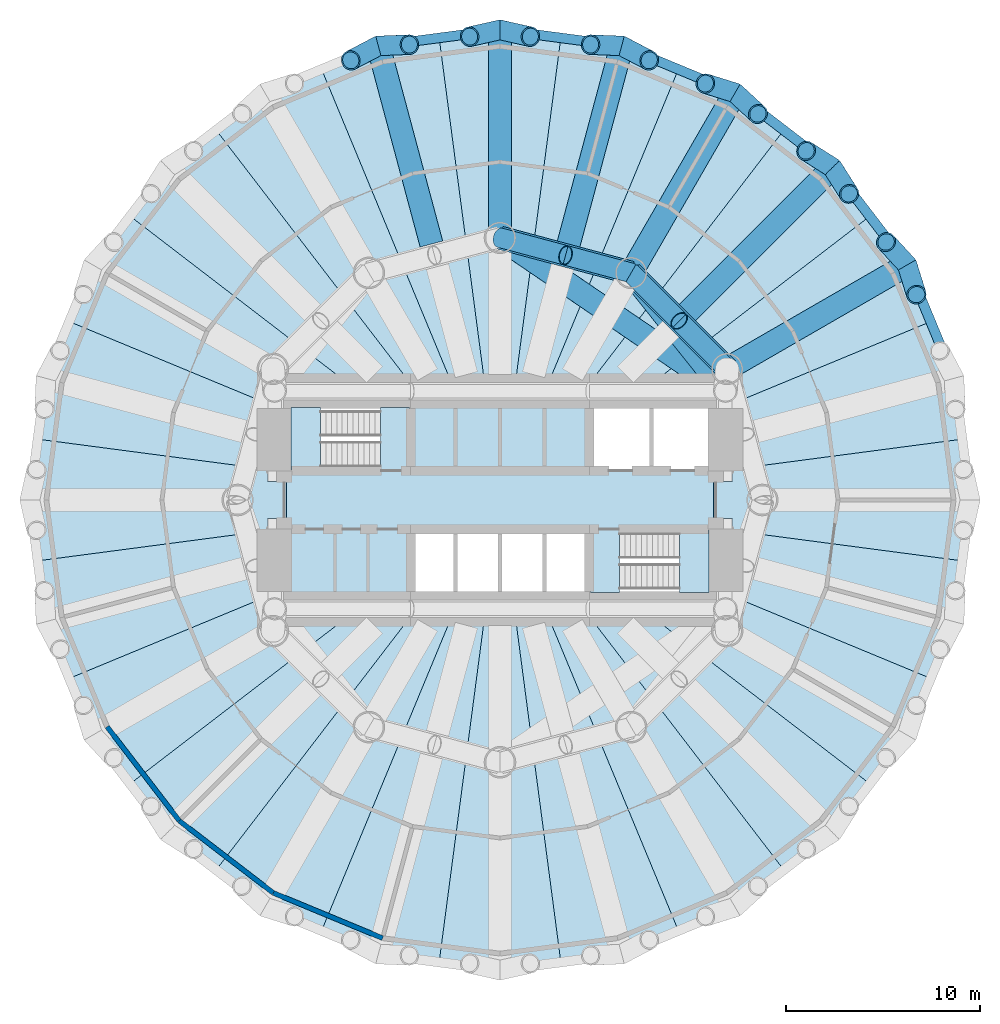
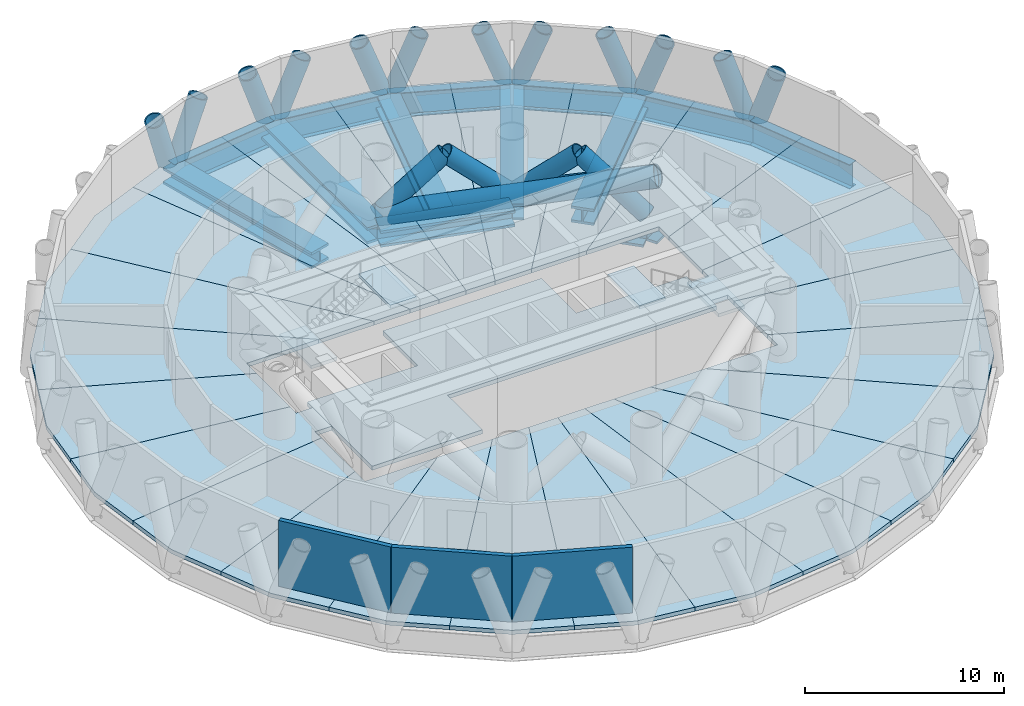
# One storey, part 3 of 6: 29 slabs, 18 members, 14 beams, 3 walls, 2 elements without a shape of their own.
"""IFC4 building model written with IfcOpenShell, lengths in metres."""

from ifc_helpers import new_model, si_unit, direction, frame, frame_2d, origin, origin_2d, place, context, subcontext, project, spatial, polyline, rectangle, hollow_circle, i_section, outline, extrude, material, layer, layer_set, material_profile, profile_set, type_object, element, aggregate, save


model = new_model("IFC4")

# Units and contexts
model_context = context("Model", 3, precision=1e-05, world=origin(), true_north=direction((0.0, 1.0)))
body_context = subcontext(model_context, "Body", "Model", "MODEL_VIEW")
ifc_project = project(units=[si_unit("LENGTHUNIT", "METRE"), si_unit("AREAUNIT", "SQUARE_METRE"), si_unit("VOLUMEUNIT", "CUBIC_METRE"), si_unit("PLANEANGLEUNIT", "RADIAN"), si_unit("MASSUNIT", "GRAM", prefix="KILO")], contexts=[model_context])

# Site, building, storey
site_placement = place(None, origin())
site = spatial("IfcSite", under=ifc_project, at=site_placement, CompositionType="ELEMENT")
building_placement = place(site_placement, origin())
building = spatial("IfcBuilding", under=site, at=building_placement, Name="Qaws Media Tower", CompositionType="ELEMENT")
storey_placement = place(building_placement, frame((0.0, 0.0, 194.0)))
storey = spatial("IfcBuildingStorey", under=building, at=storey_placement, Name="L44", CompositionType="ELEMENT", Elevation=194.0)

# Members
ifc_material_1 = material(Name="Steel S355", Category="steel")
ifc_material_profile_1 = material_profile(ifc_material_1, hollow_circle(Radius=0.508056640625, WallThickness=0.050048828125, at=origin_2d()), Name="CHS 1016x50")
ifc_profile_set_1 = profile_set([ifc_material_profile_1], Name="Steel S355")
member_type_1 = type_object("IfcMemberType", Name="Belt truss diagonal CHS 1016x50", PredefinedType="BRACE", material=ifc_profile_set_1)
for number, where, z_axis, x_axis, name in (
    (1, (71.69140625, 56.75, 0.39990234375), (-0.525929105231, 0.525929105231, 0.668428868723), (-0.707106781187, -0.707106781187, 0.0), "BT1 belt diagonal L44 I02 to bay I02-I03 apex"),
    (2, (66.75, 61.69140625, 0.39990234375), (0.525929105231, -0.525929105231, 0.668428868723), (0.707106781187, 0.707106781187, 0.0), "BT1 belt diagonal L44 I03 to bay I02-I03 apex"),
    (3, (66.75, 61.69140625, 0.39990234375), (-0.718429338123, 0.192495823814, 0.668434472434), (-0.258810593767, -0.965928090778, 0.0), "BT1 belt diagonal L44 I03 to bay I03-I04 apex"),
    (4, (60.0, 63.5, 0.39990234375), (0.718429338123, -0.192495823814, 0.668434472434), (0.258810593767, 0.965928090778, 0.0), "BT1 belt diagonal L44 I04 to bay I03-I04 apex"),
):
    element("IfcMember", number, at=place(storey_placement, frame(where, z_axis=z_axis, x_axis=x_axis)), inside=storey, type_object=member_type_1, Name=name, PredefinedType="BRACE", context=body_context, shape_type="SweptSolid", body=[
        extrude(hollow_circle(Radius=0.508056640625, WallThickness=0.050048828125, at=origin_2d()), origin(), (0.0, 0.0, 1.0), 4.69775390625),
    ])
ifc_material_2 = material(Name="Steel S460", Category="steel")
ifc_material_profile_2 = material_profile(ifc_material_2, hollow_circle(Radius=0.508056640625, WallThickness=0.070068359375, at=origin_2d()), Name="CHS 1016x70")
ifc_profile_set_2 = profile_set([ifc_material_profile_2], Name="Steel S460")
member_type_2 = type_object("IfcMemberType", Name="Diagrid member CHS 1016x70", PredefinedType="USERDEFINED", material=ifc_profile_set_2)
for number, where, z_axis, x_axis, name in (
    (5, (80.957763671875, 62.10009765625, -1.0), (-0.237082608367, 0.257234896643, 0.936814840168), (-0.735323234124, -0.677716564176, 0.0), "DG3 diagrid L44 A03"),
    (6, (80.957763671875, 62.10009765625, -1.0), (0.104279028189, -0.333948789661, 0.936805257331), (0.954545031131, 0.298066743437, 0.0), "DG3 diagrid L44 B03"),
    (7, (77.112060546875, 67.112060546875, -1.0), (-0.295615716286, 0.187125548091, 0.936800607139), (-0.534852679706, -0.844945330191, 0.0), "DG3 diagrid L44 A04"),
    (8, (77.112060546875, 67.112060546875, -1.0), (0.187125548091, -0.295615716286, 0.936800607139), (0.844945330191, 0.534852679706, 0.0), "DG3 diagrid L44 B04"),
    (9, (72.10009765625, 70.957763671875, -1.0), (-0.333948789661, 0.104279028189, 0.936805257331), (-0.298066743437, -0.954545031131, 0.0), "DG3 diagrid L44 A05"),
    (10, (72.10009765625, 70.957763671875, -1.0), (0.257234896643, -0.237082608367, 0.936814840168), (0.677716564176, 0.735323234124, 0.0), "DG3 diagrid L44 B05"),
    (11, (66.263427734375, 73.37548828125, -1.0), (-0.349568372086, 0.014234368667, 0.936802719886), (-0.040686124419, -0.999171976829, 0.0), "DG3 diagrid L44 A06"),
    (12, (66.263427734375, 73.37548828125, -1.0), (0.309851625704, -0.162442860207, 0.936805362504), (0.464320143307, 0.885667434492, 0.0), "DG3 diagrid L44 B06"),
    (13, (60.0, 74.199951171875, -1.0), (-0.341357939939, -0.076662926383, 0.936801768017), (0.219124199396, -0.975696974085, 0.0), "DG3 diagrid L44 A07"),
    (14, (60.0, 74.199951171875, -1.0), (0.341357939939, -0.076662926383, 0.936801768017), (0.219124199396, 0.975696974085, 0.0), "DG3 diagrid L44 B07"),
    (15, (53.736572265625, 73.37548828125, -1.0), (-0.309851625704, -0.162442860207, 0.936805362504), (0.464320143307, -0.885667434492, 0.0), "DG3 diagrid L44 A08"),
    (16, (53.736572265625, 73.37548828125, -1.0), (0.349568372086, 0.014234368667, 0.936802719886), (-0.040686124419, 0.999171976829, 0.0), "DG3 diagrid L44 B08"),
):
    element("IfcMember", number, at=place(storey_placement, frame(where, z_axis=z_axis, x_axis=x_axis)), inside=storey, type_object=member_type_2, Name=name, ObjectType="DIAGRID", PredefinedType="USERDEFINED", context=body_context, shape_type="SweptSolid", body=[
        extrude(hollow_circle(Radius=0.508056640625, WallThickness=0.070068359375, at=origin_2d()), origin(), (0.0, 0.0, 1.0), 4.579345703125),
    ])

# Beams
ifc_material_3 = material(Name="Steel S460", Category="steel")
ifc_material_profile_3 = material_profile(ifc_material_3, i_section(OverallWidth=0.5, OverallDepth=1.5, WebThickness=0.02001953125, FlangeThickness=0.0400390625, at=origin_2d()), Name="PG 1500x500")
ifc_profile_set_3 = profile_set([ifc_material_profile_3], Name="Steel S460")
beam_type_1 = type_object("IfcBeamType", Name="Edge ring beam PG 1500x500", PredefinedType="BEAM", material=ifc_profile_set_3)
beam_1_placement = place(storey_placement, frame((83.37548828125, 56.263427734375, -1.0), z_axis=(-0.382696506463, 0.923874116934, 0.0), x_axis=(-0.923874116934, -0.382696506463, 0.0)))
element("IfcBeam", 17, at=beam_1_placement, inside=storey, type_object=beam_type_1, Name="RB4 edge ring beam L44-02", PredefinedType="BEAM", context=body_context, shape_type="SweptSolid", body=[
    extrude(i_section(OverallWidth=0.5, OverallDepth=1.5, WebThickness=0.02001953125, FlangeThickness=0.0400390625, at=origin_2d()), origin(), (0.0, 0.0, 1.0), 6.317626953125),
])
for number, where, z_axis, x_axis, name in (
    (18, (80.957763671875, 62.10009765625, -1.0), (-0.608750343575, 0.793361846321, 0.0), (-0.793361846321, -0.608750343575, 0.0), "RB4 edge ring beam L44-03"),
    (19, (77.112060546875, 67.112060546875, -1.0), (-0.793361846321, 0.608750343575, 0.0), (-0.608750343575, -0.793361846321, 0.0), "RB4 edge ring beam L44-04"),
):
    element("IfcBeam", number, at=place(storey_placement, frame(where, z_axis=z_axis, x_axis=x_axis)), inside=storey, type_object=beam_type_1, Name=name, PredefinedType="BEAM", context=body_context, shape_type="SweptSolid", body=[
        extrude(i_section(OverallWidth=0.5, OverallDepth=1.5, WebThickness=0.02001953125, FlangeThickness=0.0400390625, at=origin_2d()), origin(), (0.0, 0.0, 1.0), 6.3173828125),
    ])
beam_2_placement = place(storey_placement, frame((72.10009765625, 70.957763671875, -1.0), z_axis=(-0.923874116934, 0.382696506463, 0.0), x_axis=(-0.382696506463, -0.923874116934, 0.0)))
element("IfcBeam", 20, at=beam_2_placement, inside=storey, type_object=beam_type_1, Name="RB4 edge ring beam L44-05", PredefinedType="BEAM", context=body_context, shape_type="SweptSolid", body=[
    extrude(i_section(OverallWidth=0.5, OverallDepth=1.5, WebThickness=0.02001953125, FlangeThickness=0.0400390625, at=origin_2d()), origin(), (0.0, 0.0, 1.0), 6.317626953125),
])
for number, where, z_axis, x_axis, name in (
    (21, (66.263427734375, 73.37548828125, -1.0), (-0.991447585875, 0.130505495907, 0.0), (-0.130505495907, -0.991447585875, 0.0), "RB4 edge ring beam L44-06"),
    (22, (60.0, 74.199951171875, -1.0), (-0.991447585875, -0.130505495907, 0.0), (0.130505495907, -0.991447585875, 0.0), "RB4 edge ring beam L44-07"),
):
    element("IfcBeam", number, at=place(storey_placement, frame(where, z_axis=z_axis, x_axis=x_axis)), inside=storey, type_object=beam_type_1, Name=name, PredefinedType="BEAM", context=body_context, shape_type="SweptSolid", body=[
        extrude(i_section(OverallWidth=0.5, OverallDepth=1.5, WebThickness=0.02001953125, FlangeThickness=0.0400390625, at=origin_2d()), origin(), (0.0, 0.0, 1.0), 6.3173828125),
    ])
ifc_material_4 = material(Name="Steel S460", Category="steel")
ifc_material_profile_4 = material_profile(ifc_material_4, i_section(OverallWidth=1.199951171875, OverallDepth=1.0, WebThickness=0.06005859375, FlangeThickness=0.14990234375, at=origin_2d()), Name="PG 1000x1200")
ifc_profile_set_4 = profile_set([ifc_material_profile_4], Name="Steel S460")
beam_type_2 = type_object("IfcBeamType", Name="Inner ring girder PG 1000x1200", PredefinedType="BEAM", material=ifc_profile_set_4)
beam_3_placement = place(storey_placement, frame((71.69140625, 56.75, -0.75), z_axis=(-0.707106781187, 0.707106781187, 0.0), x_axis=(-0.707106781187, -0.707106781187, 0.0)))
element("IfcBeam", 23, at=beam_3_placement, inside=storey, type_object=beam_type_2, Name="B3 inner ring beam L44 I02-I03", PredefinedType="BEAM", context=body_context, shape_type="SweptSolid", body=[
    extrude(i_section(OverallWidth=1.199951171875, OverallDepth=1.0, WebThickness=0.06005859375, FlangeThickness=0.14990234375, at=origin_2d()), origin(), (0.0, 0.0, 1.0), 6.98828125),
])
beam_4_placement = place(storey_placement, frame((66.75, 61.69140625, -0.75), z_axis=(-0.965928090778, 0.258810593767, 0.0), x_axis=(-0.258810593767, -0.965928090778, 0.0)))
element("IfcBeam", 24, at=beam_4_placement, inside=storey, type_object=beam_type_2, Name="B3 inner ring beam L44 I03-I04", PredefinedType="BEAM", context=body_context, shape_type="SweptSolid", body=[
    extrude(i_section(OverallWidth=1.199951171875, OverallDepth=1.0, WebThickness=0.06005859375, FlangeThickness=0.14990234375, at=origin_2d()), origin(), (0.0, 0.0, 1.0), 6.988037109375),
])

# Members
ifc_material_5 = material(Name="Steel S355", Category="steel")
ifc_material_profile_5 = material_profile(ifc_material_5, hollow_circle(Radius=0.609619140625, WallThickness=0.06005859375, at=origin_2d()), Name="CHS 1219x60")
ifc_profile_set_5 = profile_set([ifc_material_profile_5], Name="Steel S355")
member_type_3 = type_object("IfcMemberType", Name="Outrigger diagonal CHS 1219x60", PredefinedType="BRACE", material=ifc_profile_set_5)
member_1_placement = place(storey_placement, frame((71.60009765625, 55.60009765625, 3.449951171875), z_axis=(-0.579986430027, 0.728413441517, -0.364732229454), x_axis=(-0.782304477714, -0.622896222616, 0.0)))
element("IfcMember", 25, at=member_1_placement, inside=storey, type_object=member_type_3, Name="OT1 outrigger diagonal L44 I03", PredefinedType="BRACE", context=body_context, shape_type="SweptSolid", body=[
    extrude(hollow_circle(Radius=0.609619140625, WallThickness=0.06005859375, at=origin_2d()), origin(), (0.0, 0.0, 1.0), 8.362548828125),
])
member_2_placement = place(storey_placement, frame((71.60009765625, 55.60009765625, 3.449951171875), z_axis=(-0.807681071313, 0.550047230407, -0.212366031568), x_axis=(-0.562886565675, -0.826534157904, 0.0)))
element("IfcMember", 26, at=member_2_placement, inside=storey, type_object=member_type_3, Name="OT1 outrigger diagonal L44 I04", PredefinedType="BRACE", context=body_context, shape_type="SweptSolid", body=[
    extrude(hollow_circle(Radius=0.609619140625, WallThickness=0.06005859375, at=origin_2d()), origin(), (0.0, 0.0, 1.0), 14.3623046875),
])

# Beams
ifc_material_6 = material(Name="Steel S355", Category="steel")
ifc_material_profile_6 = material_profile(ifc_material_6, i_section(OverallWidth=1.199951171875, OverallDepth=1.0, WebThickness=0.06005859375, FlangeThickness=0.14990234375, at=origin_2d()), Name="PG 1000x1200")
ifc_profile_set_6 = profile_set([ifc_material_profile_6], Name="Steel S355")
beam_type_3 = type_object("IfcBeamType", Name="Plant floor beam PG 1000x1200", PredefinedType="BEAM", material=ifc_profile_set_6)
beam_5_placement = place(storey_placement, frame((71.69140625, 56.75, -0.75), z_axis=(0.866018778813, 0.500011474612, 0.0), x_axis=(-0.500011474612, 0.866018778813, 0.0)))
element("IfcBeam", 27, at=beam_5_placement, inside=storey, type_object=beam_type_3, Name="B1 radial beam L44 03", PredefinedType="BEAM", context=body_context, shape_type="SweptSolid", body=[
    extrude(i_section(OverallWidth=1.199951171875, OverallDepth=1.0, WebThickness=0.06005859375, FlangeThickness=0.14990234375, at=origin_2d()), origin(), (0.0, 0.0, 1.0), 10.699951171875),
])
beam_6_placement = place(storey_placement, frame((69.64501953125, 59.64501953125, -0.75), z_axis=(0.707106781187, 0.707106781187, 0.0), x_axis=(-0.707106781187, 0.707106781187, 0.0)))
element("IfcBeam", 28, at=beam_6_placement, inside=storey, type_object=beam_type_3, Name="B1 radial beam L44 04", PredefinedType="BEAM", context=body_context, shape_type="SweptSolid", body=[
    extrude(i_section(OverallWidth=1.199951171875, OverallDepth=1.0, WebThickness=0.06005859375, FlangeThickness=0.14990234375, at=origin_2d()), origin(), (0.0, 0.0, 1.0), 10.56005859375),
])
beam_7_placement = place(storey_placement, frame((66.75, 61.69140625, -0.75), z_axis=(0.500011474612, 0.866018778813, 0.0), x_axis=(-0.866018778813, 0.500011474612, 0.0)))
element("IfcBeam", 29, at=beam_7_placement, inside=storey, type_object=beam_type_3, Name="B1 radial beam L44 05", PredefinedType="BEAM", context=body_context, shape_type="SweptSolid", body=[
    extrude(i_section(OverallWidth=1.199951171875, OverallDepth=1.0, WebThickness=0.06005859375, FlangeThickness=0.14990234375, at=origin_2d()), origin(), (0.0, 0.0, 1.0), 10.699951171875),
])
beam_8_placement = place(storey_placement, frame((63.5302734375, 63.17529296875, -0.75), z_axis=(0.25882082986, 0.965925348063, 0.0), x_axis=(-0.965925348063, 0.25882082986, 0.0)))
element("IfcBeam", 30, at=beam_8_placement, inside=storey, type_object=beam_type_3, Name="B1 radial beam L44 06", PredefinedType="BEAM", context=body_context, shape_type="SweptSolid", body=[
    extrude(i_section(OverallWidth=1.199951171875, OverallDepth=1.0, WebThickness=0.06005859375, FlangeThickness=0.14990234375, at=origin_2d()), origin(), (0.0, 0.0, 1.0), 10.56005859375),
])
beam_9_placement = place(storey_placement, frame((60.0, 63.5, -0.75), z_axis=(0.0, 1.0, 0.0), x_axis=(-1.0, 0.0, 0.0)))
element("IfcBeam", 31, at=beam_9_placement, inside=storey, type_object=beam_type_3, Name="B1 radial beam L44 07", PredefinedType="BEAM", context=body_context, shape_type="SweptSolid", body=[
    extrude(i_section(OverallWidth=1.199951171875, OverallDepth=1.0, WebThickness=0.06005859375, FlangeThickness=0.14990234375, at=origin_2d()), origin(), (0.0, 0.0, 1.0), 10.699951171875),
])
beam_10_placement = place(storey_placement, frame((56.4697265625, 63.17529296875, -0.75), z_axis=(-0.25882082986, 0.965925348063, 0.0), x_axis=(-0.965925348063, -0.25882082986, 0.0)))
element("IfcBeam", 32, at=beam_10_placement, inside=storey, type_object=beam_type_3, Name="B1 radial beam L44 08", PredefinedType="BEAM", context=body_context, shape_type="SweptSolid", body=[
    extrude(i_section(OverallWidth=1.199951171875, OverallDepth=1.0, WebThickness=0.06005859375, FlangeThickness=0.14990234375, at=origin_2d()), origin(), (0.0, 0.0, 1.0), 10.56005859375),
])

# Slabs
ifc_material_7 = material(Name="Concrete C40/50", Category="concrete")
ifc_layer_1 = layer(ifc_material_7, 0.25)
ifc_layer_set_1 = layer_set([ifc_layer_1], Name="Plant floor slab 250")
slab_type_1 = type_object("IfcSlabType", Name="Plant floor slab 250", PredefinedType="FLOOR", material=ifc_layer_set_1)
slab_1_placement = place(storey_placement, frame((0.0, 0.0, -0.25)))
element("IfcSlab", 33, at=slab_1_placement, inside=storey, type_object=slab_type_1, Name="S7 core floor slab L44", PredefinedType="FLOOR", context=body_context, shape_type="SweptSolid", body=[
    extrude(outline(polyline([(71.0, 51.5), (71.0, 48.5), (55.39990234375, 48.5), (55.39990234375, 45.0), (49.0, 45.0), (49.0, 51.5), (55.39990234375, 51.5), (55.39990234375, 55.0), (64.60009765625, 55.0), (64.60009765625, 51.5), (71.0, 51.5)])), origin(), (0.0, 0.0, 1.0), 0.25),
])
slab_2_placement = place(storey_placement, frame((0.0, 0.0, -0.25)))
element("IfcSlab", 34, at=slab_2_placement, inside=storey, type_object=slab_type_1, Name="S7 floor panel L44 on R01", PredefinedType="FLOOR", context=body_context, shape_type="SweptSolid", body=[
    extrude(outline(polyline([(84.199951171875, 50.0), (83.78759765625, 46.868408203125), (71.9599609375, 48.42529296875), (71.9599609375, 49.050048828125), (71.0, 49.050048828125), (71.0, 50.949951171875), (71.9599609375, 50.949951171875), (71.9599609375, 51.57470703125), (83.78759765625, 53.131591796875), (84.199951171875, 50.0)])), origin(), (0.0, 0.0, 1.0), 0.25),
])
slab_3_placement = place(storey_placement, frame((0.0, 0.0, -0.25)))
element("IfcSlab", 35, at=slab_3_placement, inside=storey, type_object=slab_type_1, Name="S7 floor panel L44 on R02", PredefinedType="FLOOR", context=body_context, shape_type="SweptSolid", body=[
    extrude(outline(polyline([(83.37548828125, 56.263427734375), (83.78759765625, 53.131591796875), (71.9599609375, 51.57470703125), (71.9599609375, 54.9541015625), (82.16650390625, 59.181640625), (83.37548828125, 56.263427734375)])), origin(), (0.0, 0.0, 1.0), 0.25),
])
slab_4_placement = place(storey_placement, frame((0.0, 0.0, -0.25)))
element("IfcSlab", 36, at=slab_4_placement, inside=storey, type_object=slab_type_1, Name="S7 floor panel L44 on R03", PredefinedType="FLOOR", context=body_context, shape_type="SweptSolid", body=[
    extrude(outline(polyline([(80.957763671875, 62.10009765625), (82.16650390625, 59.181640625), (71.9599609375, 54.9541015625), (71.9599609375, 55.9599609375), (67.76708984375, 55.9599609375), (79.034912109375, 64.60595703125), (80.957763671875, 62.10009765625)])), origin(), (0.0, 0.0, 1.0), 0.25),
])
slab_5_placement = place(storey_placement, frame((0.0, 0.0, -0.25)))
element("IfcSlab", 37, at=slab_5_placement, inside=storey, type_object=slab_type_1, Name="S7 floor panel L44 on R04", PredefinedType="FLOOR", context=body_context, shape_type="SweptSolid", body=[
    extrude(outline(polyline([(77.112060546875, 67.112060546875), (79.034912109375, 64.60595703125), (67.76708984375, 55.9599609375), (64.5732421875, 55.9599609375), (74.60595703125, 69.034912109375), (77.112060546875, 67.112060546875)])), origin(), (0.0, 0.0, 1.0), 0.25),
])
slab_6_placement = place(storey_placement, frame((0.0, 0.0, -0.25)))
element("IfcSlab", 38, at=slab_6_placement, inside=storey, type_object=slab_type_1, Name="S7 floor panel L44 on R05", PredefinedType="FLOOR", context=body_context, shape_type="SweptSolid", body=[
    extrude(outline(polyline([(72.10009765625, 70.957763671875), (74.60595703125, 69.034912109375), (64.5732421875, 55.9599609375), (62.46875, 55.9599609375), (69.181640625, 72.16650390625), (72.10009765625, 70.957763671875)])), origin(), (0.0, 0.0, 1.0), 0.25),
])
slab_7_placement = place(storey_placement, frame((0.0, 0.0, -0.25)))
element("IfcSlab", 39, at=slab_7_placement, inside=storey, type_object=slab_type_1, Name="S7 floor panel L44 on R06", PredefinedType="FLOOR", context=body_context, shape_type="SweptSolid", body=[
    extrude(outline(polyline([(66.263427734375, 73.37548828125), (69.181640625, 72.16650390625), (62.46875, 55.9599609375), (60.78466796875, 55.9599609375), (63.131591796875, 73.78759765625), (66.263427734375, 73.37548828125)])), origin(), (0.0, 0.0, 1.0), 0.25),
])
slab_8_placement = place(storey_placement, frame((0.0, 0.0, -0.25)))
element("IfcSlab", 40, at=slab_8_placement, inside=storey, type_object=slab_type_1, Name="S7 floor panel L44 on R07", PredefinedType="FLOOR", context=body_context, shape_type="SweptSolid", body=[
    extrude(outline(polyline([(60.0, 74.199951171875), (63.131591796875, 73.78759765625), (60.78466796875, 55.9599609375), (59.21533203125, 55.9599609375), (56.868408203125, 73.78759765625), (60.0, 74.199951171875)])), origin(), (0.0, 0.0, 1.0), 0.25),
])
slab_9_placement = place(storey_placement, frame((0.0, 0.0, -0.25)))
element("IfcSlab", 41, at=slab_9_placement, inside=storey, type_object=slab_type_1, Name="S7 floor panel L44 on R08", PredefinedType="FLOOR", context=body_context, shape_type="SweptSolid", body=[
    extrude(outline(polyline([(53.736572265625, 73.37548828125), (56.868408203125, 73.78759765625), (59.21533203125, 55.9599609375), (57.53125, 55.9599609375), (50.818359375, 72.16650390625), (53.736572265625, 73.37548828125)])), origin(), (0.0, 0.0, 1.0), 0.25),
])
slab_10_placement = place(storey_placement, frame((0.0, 0.0, -0.25)))
element("IfcSlab", 42, at=slab_10_placement, inside=storey, type_object=slab_type_1, Name="S7 floor panel L44 on R09", PredefinedType="FLOOR", context=body_context, shape_type="SweptSolid", body=[
    extrude(outline(polyline([(47.89990234375, 70.957763671875), (50.818359375, 72.16650390625), (57.53125, 55.9599609375), (55.4267578125, 55.9599609375), (45.39404296875, 69.034912109375), (47.89990234375, 70.957763671875)])), origin(), (0.0, 0.0, 1.0), 0.25),
])
slab_11_placement = place(storey_placement, frame((0.0, 0.0, -0.25)))
element("IfcSlab", 43, at=slab_11_placement, inside=storey, type_object=slab_type_1, Name="S7 floor panel L44 on R10", PredefinedType="FLOOR", context=body_context, shape_type="SweptSolid", body=[
    extrude(outline(polyline([(42.887939453125, 67.112060546875), (45.39404296875, 69.034912109375), (55.4267578125, 55.9599609375), (52.23291015625, 55.9599609375), (40.965087890625, 64.60595703125), (42.887939453125, 67.112060546875)])), origin(), (0.0, 0.0, 1.0), 0.25),
])
slab_12_placement = place(storey_placement, frame((0.0, 0.0, -0.25)))
element("IfcSlab", 44, at=slab_12_placement, inside=storey, type_object=slab_type_1, Name="S7 floor panel L44 on R11", PredefinedType="FLOOR", context=body_context, shape_type="SweptSolid", body=[
    extrude(outline(polyline([(39.042236328125, 62.10009765625), (40.965087890625, 64.60595703125), (52.23291015625, 55.9599609375), (48.0400390625, 55.9599609375), (48.0400390625, 54.9541015625), (37.83349609375, 59.181640625), (39.042236328125, 62.10009765625)])), origin(), (0.0, 0.0, 1.0), 0.25),
])
slab_13_placement = place(storey_placement, frame((0.0, 0.0, -0.25)))
element("IfcSlab", 45, at=slab_13_placement, inside=storey, type_object=slab_type_1, Name="S7 floor panel L44 on R12", PredefinedType="FLOOR", context=body_context, shape_type="SweptSolid", body=[
    extrude(outline(polyline([(36.62451171875, 56.263427734375), (37.83349609375, 59.181640625), (48.0400390625, 54.9541015625), (48.0400390625, 51.57470703125), (36.21240234375, 53.131591796875), (36.62451171875, 56.263427734375)])), origin(), (0.0, 0.0, 1.0), 0.25),
])
slab_14_placement = place(storey_placement, frame((0.0, 0.0, -0.25)))
element("IfcSlab", 46, at=slab_14_placement, inside=storey, type_object=slab_type_1, Name="S7 floor panel L44 on R13", PredefinedType="FLOOR", context=body_context, shape_type="SweptSolid", body=[
    extrude(outline(polyline([(35.800048828125, 50.0), (36.21240234375, 53.131591796875), (48.0400390625, 51.57470703125), (48.0400390625, 50.949951171875), (49.0, 50.949951171875), (49.0, 49.050048828125), (48.0400390625, 49.050048828125), (48.0400390625, 48.42529296875), (36.21240234375, 46.868408203125), (35.800048828125, 50.0)])), origin(), (0.0, 0.0, 1.0), 0.25),
])
slab_15_placement = place(storey_placement, frame((0.0, 0.0, -0.25)))
element("IfcSlab", 47, at=slab_15_placement, inside=storey, type_object=slab_type_1, Name="S7 floor panel L44 on R14", PredefinedType="FLOOR", context=body_context, shape_type="SweptSolid", body=[
    extrude(outline(polyline([(36.62451171875, 43.736572265625), (36.21240234375, 46.868408203125), (48.0400390625, 48.42529296875), (48.0400390625, 45.0458984375), (37.83349609375, 40.818359375), (36.62451171875, 43.736572265625)])), origin(), (0.0, 0.0, 1.0), 0.25),
])
slab_16_placement = place(storey_placement, frame((0.0, 0.0, -0.25)))
element("IfcSlab", 48, at=slab_16_placement, inside=storey, type_object=slab_type_1, Name="S7 floor panel L44 on R15", PredefinedType="FLOOR", context=body_context, shape_type="SweptSolid", body=[
    extrude(outline(polyline([(39.042236328125, 37.89990234375), (37.83349609375, 40.818359375), (48.0400390625, 45.0458984375), (48.0400390625, 44.0400390625), (52.23291015625, 44.0400390625), (40.965087890625, 35.39404296875), (39.042236328125, 37.89990234375)])), origin(), (0.0, 0.0, 1.0), 0.25),
])
slab_17_placement = place(storey_placement, frame((0.0, 0.0, -0.25)))
element("IfcSlab", 49, at=slab_17_placement, inside=storey, type_object=slab_type_1, Name="S7 floor panel L44 on R16", PredefinedType="FLOOR", context=body_context, shape_type="SweptSolid", body=[
    extrude(outline(polyline([(42.887939453125, 32.887939453125), (40.965087890625, 35.39404296875), (52.23291015625, 44.0400390625), (55.4267578125, 44.0400390625), (45.39404296875, 30.965087890625), (42.887939453125, 32.887939453125)])), origin(), (0.0, 0.0, 1.0), 0.25),
])
slab_18_placement = place(storey_placement, frame((0.0, 0.0, -0.25)))
element("IfcSlab", 50, at=slab_18_placement, inside=storey, type_object=slab_type_1, Name="S7 floor panel L44 on R17", PredefinedType="FLOOR", context=body_context, shape_type="SweptSolid", body=[
    extrude(outline(polyline([(47.89990234375, 29.042236328125), (45.39404296875, 30.965087890625), (55.4267578125, 44.0400390625), (57.53125, 44.0400390625), (50.818359375, 27.83349609375), (47.89990234375, 29.042236328125)])), origin(), (0.0, 0.0, 1.0), 0.25),
])
slab_19_placement = place(storey_placement, frame((0.0, 0.0, -0.25)))
element("IfcSlab", 51, at=slab_19_placement, inside=storey, type_object=slab_type_1, Name="S7 floor panel L44 on R18", PredefinedType="FLOOR", context=body_context, shape_type="SweptSolid", body=[
    extrude(outline(polyline([(53.736572265625, 26.62451171875), (50.818359375, 27.83349609375), (57.53125, 44.0400390625), (59.21533203125, 44.0400390625), (56.868408203125, 26.21240234375), (53.736572265625, 26.62451171875)])), origin(), (0.0, 0.0, 1.0), 0.25),
])
slab_20_placement = place(storey_placement, frame((0.0, 0.0, -0.25)))
element("IfcSlab", 52, at=slab_20_placement, inside=storey, type_object=slab_type_1, Name="S7 floor panel L44 on R19", PredefinedType="FLOOR", context=body_context, shape_type="SweptSolid", body=[
    extrude(outline(polyline([(60.0, 25.800048828125), (56.868408203125, 26.21240234375), (59.21533203125, 44.0400390625), (60.78466796875, 44.0400390625), (63.131591796875, 26.21240234375), (60.0, 25.800048828125)])), origin(), (0.0, 0.0, 1.0), 0.25),
])
slab_21_placement = place(storey_placement, frame((0.0, 0.0, -0.25)))
element("IfcSlab", 53, at=slab_21_placement, inside=storey, type_object=slab_type_1, Name="S7 floor panel L44 on R20", PredefinedType="FLOOR", context=body_context, shape_type="SweptSolid", body=[
    extrude(outline(polyline([(66.263427734375, 26.62451171875), (63.131591796875, 26.21240234375), (60.78466796875, 44.0400390625), (62.46875, 44.0400390625), (69.181640625, 27.83349609375), (66.263427734375, 26.62451171875)])), origin(), (0.0, 0.0, 1.0), 0.25),
])
slab_22_placement = place(storey_placement, frame((0.0, 0.0, -0.25)))
element("IfcSlab", 54, at=slab_22_placement, inside=storey, type_object=slab_type_1, Name="S7 floor panel L44 on R21", PredefinedType="FLOOR", context=body_context, shape_type="SweptSolid", body=[
    extrude(outline(polyline([(72.10009765625, 29.042236328125), (69.181640625, 27.83349609375), (62.46875, 44.0400390625), (64.5732421875, 44.0400390625), (74.60595703125, 30.965087890625), (72.10009765625, 29.042236328125)])), origin(), (0.0, 0.0, 1.0), 0.25),
])
slab_23_placement = place(storey_placement, frame((0.0, 0.0, -0.25)))
element("IfcSlab", 55, at=slab_23_placement, inside=storey, type_object=slab_type_1, Name="S7 floor panel L44 on R22", PredefinedType="FLOOR", context=body_context, shape_type="SweptSolid", body=[
    extrude(outline(polyline([(77.112060546875, 32.887939453125), (74.60595703125, 30.965087890625), (64.5732421875, 44.0400390625), (67.76708984375, 44.0400390625), (79.034912109375, 35.39404296875), (77.112060546875, 32.887939453125)])), origin(), (0.0, 0.0, 1.0), 0.25),
])
slab_24_placement = place(storey_placement, frame((0.0, 0.0, -0.25)))
element("IfcSlab", 56, at=slab_24_placement, inside=storey, type_object=slab_type_1, Name="S7 floor panel L44 on R23", PredefinedType="FLOOR", context=body_context, shape_type="SweptSolid", body=[
    extrude(outline(polyline([(79.034912109375, 35.39404296875), (67.76708984375, 44.0400390625), (71.9599609375, 44.0400390625), (71.9599609375, 45.0458984375), (82.16650390625, 40.818359375), (80.957763671875, 37.89990234375), (79.034912109375, 35.39404296875)])), origin(), (0.0, 0.0, 1.0), 0.25),
])
slab_25_placement = place(storey_placement, frame((0.0, 0.0, -0.25)))
element("IfcSlab", 57, at=slab_25_placement, inside=storey, type_object=slab_type_1, Name="S7 floor panel L44 on R24", PredefinedType="FLOOR", context=body_context, shape_type="SweptSolid", body=[
    extrude(outline(polyline([(83.37548828125, 43.736572265625), (82.16650390625, 40.818359375), (71.9599609375, 45.0458984375), (71.9599609375, 48.42529296875), (83.78759765625, 46.868408203125), (83.37548828125, 43.736572265625)])), origin(), (0.0, 0.0, 1.0), 0.25),
])

# Stair, slabs
ifc_material_8 = material(Name="Concrete C40/50", Category="concrete")
stair_type = type_object("IfcStairType", Name="Exit stair", PredefinedType="HALF_TURN_STAIR", material=ifc_material_8)
stair_1_placement = place(storey_placement, origin())
stair_1 = element("IfcStair", 58, at=stair_1_placement, inside=storey, type_object=stair_type, Name="S1 exit stair L44", PredefinedType="HALF_TURN_STAIR")
ifc_material_9 = material(Name="Concrete C40/50", Category="concrete")
ifc_layer_2 = layer(ifc_material_9, 0.199951171875)
ifc_layer_set_2 = layer_set([ifc_layer_2], Name="Stair landing 200")
slab_type_2 = type_object("IfcSlabType", Name="Stair landing 200", PredefinedType="LANDING", material=ifc_layer_set_2)
slab_26_placement = place(storey_placement, frame((0.0, 0.0, 1.89990234375)))
slab_26 = element("IfcSlab", 59, at=slab_26_placement, type_object=slab_type_2, Name="S1 landing 1", PredefinedType="LANDING", context=body_context, shape_type="SweptSolid", body=[
    extrude(outline(polyline([(49.25, 51.550048828125), (50.760009765625, 51.550048828125), (50.760009765625, 54.75), (49.25, 54.75), (49.25, 51.550048828125)])), origin(), (0.0, 0.0, 1.0), 0.2001953125),
])
slab_27_placement = place(storey_placement, frame((0.0, 0.0, 4.0)))
slab_27 = element("IfcSlab", 60, at=slab_27_placement, type_object=slab_type_2, Name="S1 landing 2", PredefinedType="LANDING", context=body_context, shape_type="SweptSolid", body=[
    extrude(outline(polyline([(53.840087890625, 51.550048828125), (55.35009765625, 51.550048828125), (55.35009765625, 54.75), (53.840087890625, 54.75), (53.840087890625, 51.550048828125)])), origin(), (0.0, 0.0, 1.0), 0.199951171875),
])
aggregate(stair_1, [slab_26, slab_27])

stair_2_placement = place(storey_placement, origin())
stair_2 = element("IfcStair", 61, at=stair_2_placement, inside=storey, type_object=stair_type, Name="S2 exit stair L44", PredefinedType="HALF_TURN_STAIR")
slab_28_placement = place(storey_placement, frame((0.0, 0.0, 1.89990234375)))
slab_28 = element("IfcSlab", 62, at=slab_28_placement, type_object=slab_type_2, Name="S2 landing 1", PredefinedType="LANDING", context=body_context, shape_type="SweptSolid", body=[
    extrude(outline(polyline([(69.239990234375, 45.25), (70.75, 45.25), (70.75, 48.449951171875), (69.239990234375, 48.449951171875), (69.239990234375, 45.25)])), origin(), (0.0, 0.0, 1.0), 0.2001953125),
])
slab_29_placement = place(storey_placement, frame((0.0, 0.0, 4.0)))
slab_29 = element("IfcSlab", 63, at=slab_29_placement, type_object=slab_type_2, Name="S2 landing 2", PredefinedType="LANDING", context=body_context, shape_type="SweptSolid", body=[
    extrude(outline(polyline([(64.64990234375, 45.25), (66.159912109375, 45.25), (66.159912109375, 48.449951171875), (64.64990234375, 48.449951171875), (64.64990234375, 45.25)])), origin(), (0.0, 0.0, 1.0), 0.199951171875),
])
aggregate(stair_2, [slab_28, slab_29])

# Walls
ifc_material_10 = material(Name="Precast concrete louvre panels", Category="concrete")
ifc_layer_3 = layer(ifc_material_10, 0.25)
ifc_layer_set_3 = layer_set([ifc_layer_3], Name="Crown louvre wall 250")
wall_type = type_object("IfcWallType", Name="Crown louvre wall 250", PredefinedType="SOLIDWALL", material=ifc_layer_set_3)
for number, where, z_axis, x_axis, name in (
    (64, (39.7783203125, 38.324951171875, 0.0), (0.0, 0.0, 1.0), (0.608756059961, -0.793357460077, 0.0), "W469 EW3 louvre wall L44-15"),
    (65, (43.489013671875, 33.489013671875, 0.0), (0.0, 0.0, 1.0), (0.793357460077, -0.608756059961, 0.0), "W471 EW3 louvre wall L44-16"),
):
    element("IfcWall", number, at=place(storey_placement, frame(where, z_axis=z_axis, x_axis=x_axis)), inside=storey, type_object=wall_type, Name=name, PredefinedType="SOLIDWALL", context=body_context, shape_type="SweptSolid", body=[
        extrude(rectangle(XDim=6.095458984375, YDim=0.25, at=frame_2d((3.0478515625, 0.0))), origin(), (0.0, 0.0, 1.0), 4.0400390625),
    ])
wall_placement = place(storey_placement, frame((48.324951171875, 29.7783203125, 0.0), z_axis=(0.0, 0.0, 1.0), x_axis=(0.923874777974, -0.382694910632, 0.0)))
element("IfcWall", 66, at=wall_placement, inside=storey, type_object=wall_type, Name="W473 EW3 louvre wall L44-17", PredefinedType="SOLIDWALL", context=body_context, shape_type="SweptSolid", body=[
    extrude(rectangle(XDim=6.095703125, YDim=0.25, at=frame_2d((3.0478515625, 0.0))), origin(), (0.0, 0.0, 1.0), 4.0400390625),
])

save(model, "model.ifc")
